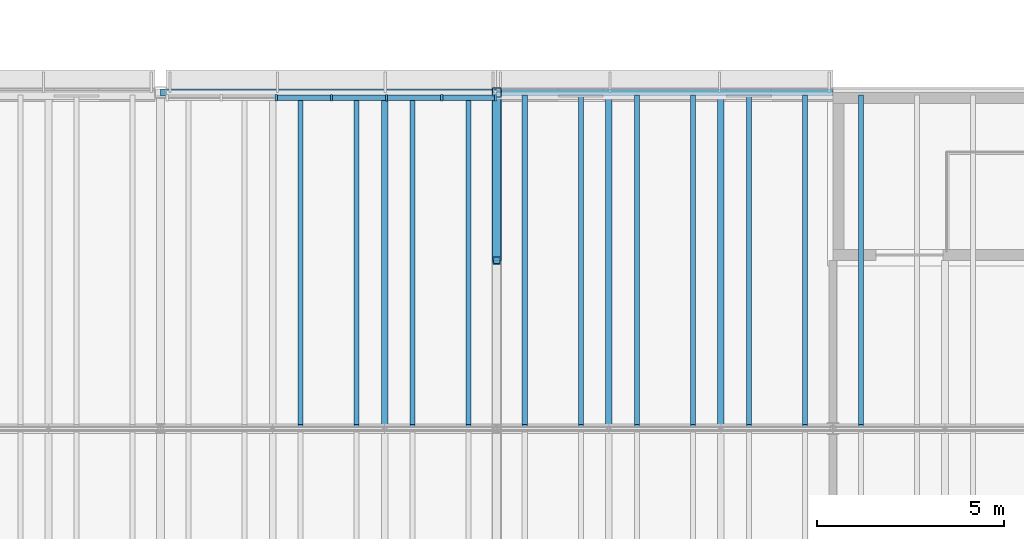
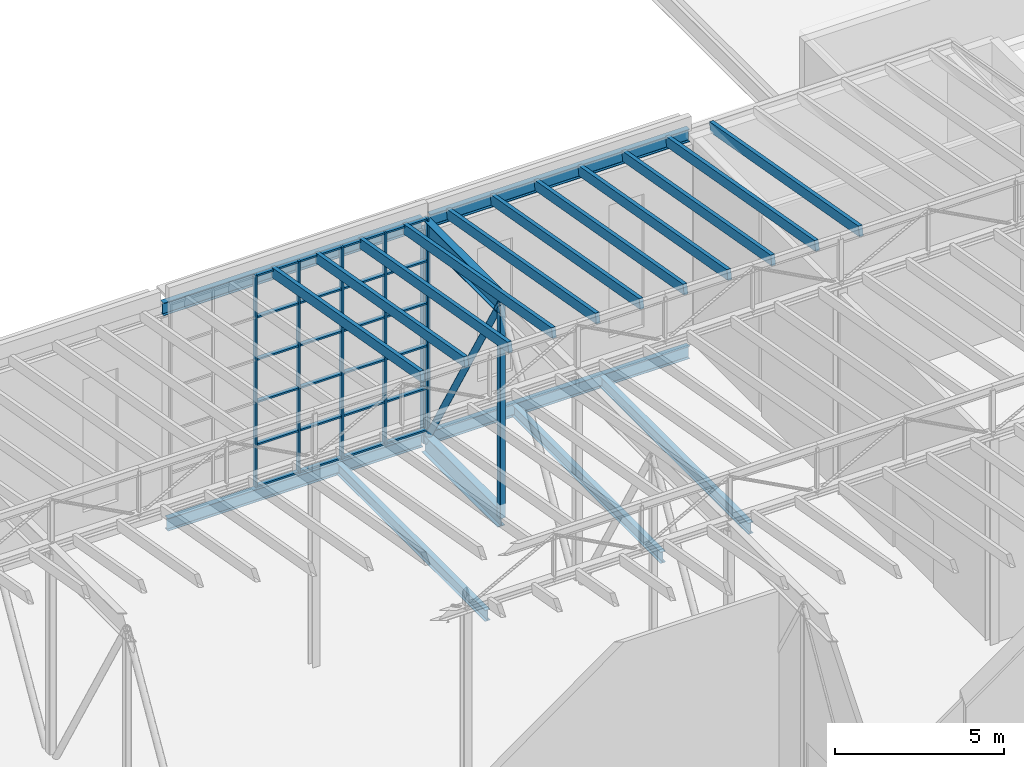
# One storey, part 45 of 90: 45 members, 7 beams, 1 element without a shape of its own.
"""IFC4 building model written with IfcOpenShell, lengths in metres."""

from ifc_helpers import new_model, si_unit, direction, frame, origin, origin_2d, place, context, subcontext, project, spatial, rectangle, hollow_rectangle, hollow_circle, i_section, extrude, material, layer, layer_set, material_profile, profile_set, type_object, element, aggregate, save


model = new_model("IFC4")

# Units and contexts
model_context = context("Model", 3, precision=1e-05, world=origin(), true_north=direction((0.0, 1.0)))
body_context = subcontext(model_context, "Body", "Model", "MODEL_VIEW")
ifc_project = project(units=[si_unit("LENGTHUNIT", "METRE"), si_unit("AREAUNIT", "SQUARE_METRE"), si_unit("VOLUMEUNIT", "CUBIC_METRE"), si_unit("PLANEANGLEUNIT", "RADIAN"), si_unit("MASSUNIT", "GRAM", prefix="KILO")], contexts=[model_context])

# Site, building, storey
site_placement = place(None, origin())
site = spatial("IfcSite", under=ifc_project, at=site_placement, CompositionType="ELEMENT")
building_placement = place(site_placement, origin())
building = spatial("IfcBuilding", under=site, at=building_placement, Name="Halyard Row Museum", CompositionType="ELEMENT")
storey_placement = place(building_placement, frame((0.0, 0.0, 13.39990234375)))
storey = spatial("IfcBuildingStorey", under=building, at=storey_placement, Name="L03", CompositionType="ELEMENT", Elevation=13.39990234375)

# Curtain wall, members
ifc_material_1 = material(Name="Double glazed unit, low-emissivity", Category="glass")
ifc_layer = layer(ifc_material_1, 0.179931640625)
ifc_layer_set = layer_set([ifc_layer], Name="Double glazed unit, low-emissivity")
curtain_wall_type = type_object("IfcCurtainWallType", Name="Curtain wall stick 180 deep", PredefinedType="NOTDEFINED", material=ifc_layer_set)
curtain_wall_placement = place(storey_placement, origin())
curtain_wall = element("IfcCurtainWall", 1, at=curtain_wall_placement, inside=storey, type_object=curtain_wall_type, Name="Curtain wall CW053", PredefinedType="NOTDEFINED")
ifc_material_2 = material(Name="Powder-coated aluminium section", Category="aluminium")
ifc_material_profile_1 = material_profile(ifc_material_2, rectangle(XDim=0.179931640625, YDim=0.06005859375, at=origin_2d()), Name="180x60 mullion")
ifc_profile_set_1 = profile_set([ifc_material_profile_1], Name="Powder-coated aluminium section")
member_type_1 = type_object("IfcMemberType", Name="Curtain wall mullion CM2 60 x 180", PredefinedType="MULLION", material=ifc_profile_set_1)
member_1_placement = place(storey_placement, frame((53.969970703125, 44.860107421875, 0.0), z_axis=(0.0, 0.0, 1.0), x_axis=(0.0, -1.0, 0.0)))
member_1 = element("IfcMember", 2, at=member_1_placement, type_object=member_type_1, Name="CW053 mullion 1", PredefinedType="MULLION", context=body_context, shape_type="SweptSolid", body=[
    extrude(rectangle(XDim=0.179931640625, YDim=0.06005859375, at=origin_2d()), origin(), (0.0, 0.0, 1.0), 7.67822265625),
])
member_2_placement = place(storey_placement, frame((52.52490234375, 44.860107421875, 0.0), z_axis=(0.0, 0.0, 1.0), x_axis=(0.0, -1.0, 0.0)))
member_2 = element("IfcMember", 3, at=member_2_placement, type_object=member_type_1, Name="CW053 mullion 2", PredefinedType="MULLION", context=body_context, shape_type="SweptSolid", body=[
    extrude(rectangle(XDim=0.179931640625, YDim=0.06005859375, at=origin_2d()), origin(), (0.0, 0.0, 1.0), 7.67822265625),
])
member_3_placement = place(storey_placement, frame((51.050048828125, 44.860107421875, 0.0), z_axis=(0.0, 0.0, 1.0), x_axis=(0.0, -1.0, 0.0)))
member_3 = element("IfcMember", 4, at=member_3_placement, type_object=member_type_1, Name="CW053 mullion 3", PredefinedType="MULLION", context=body_context, shape_type="SweptSolid", body=[
    extrude(rectangle(XDim=0.179931640625, YDim=0.06005859375, at=origin_2d()), origin(), (0.0, 0.0, 1.0), 7.67822265625),
])
member_4_placement = place(storey_placement, frame((49.574951171875, 44.860107421875, 0.0), z_axis=(0.0, 0.0, 1.0), x_axis=(0.0, -1.0, 0.0)))
member_4 = element("IfcMember", 5, at=member_4_placement, type_object=member_type_1, Name="CW053 mullion 4", PredefinedType="MULLION", context=body_context, shape_type="SweptSolid", body=[
    extrude(rectangle(XDim=0.179931640625, YDim=0.06005859375, at=origin_2d()), origin(), (0.0, 0.0, 1.0), 7.67822265625),
])
member_5_placement = place(storey_placement, frame((48.10009765625, 44.860107421875, 0.0), z_axis=(0.0, 0.0, 1.0), x_axis=(0.0, -1.0, 0.0)))
member_5 = element("IfcMember", 6, at=member_5_placement, type_object=member_type_1, Name="CW053 mullion 5", PredefinedType="MULLION", context=body_context, shape_type="SweptSolid", body=[
    extrude(rectangle(XDim=0.179931640625, YDim=0.06005859375, at=origin_2d()), origin(), (0.0, 0.0, 1.0), 7.67822265625),
])
ifc_material_3 = material(Name="Powder-coated aluminium section", Category="aluminium")
ifc_material_profile_2 = material_profile(ifc_material_3, rectangle(XDim=0.139892578125, YDim=0.06005859375, at=origin_2d()), Name="140x60 transom")
ifc_profile_set_2 = profile_set([ifc_material_profile_2], Name="Powder-coated aluminium section")
member_type_2 = type_object("IfcMemberType", Name="Curtain wall transom CT2 60 x 140", PredefinedType="USERDEFINED", material=ifc_profile_set_2)
member_6_placement = place(storey_placement, frame((53.93994140625, 44.860107421875, 0.030029296875), z_axis=(-1.0, 0.0, 0.0), x_axis=(0.0, -1.0, 0.0)))
member_6 = element("IfcMember", 7, at=member_6_placement, type_object=member_type_2, Name="CW053 transom 1.1", ObjectType="TRANSOM", PredefinedType="USERDEFINED", context=body_context, shape_type="SweptSolid", body=[
    extrude(rectangle(XDim=0.139892578125, YDim=0.06005859375, at=origin_2d()), origin(), (0.0, 0.0, 1.0), 1.385009765625),
])
member_7_placement = place(storey_placement, frame((53.93994140625, 44.860107421875, 1.53564453125), z_axis=(-1.0, 0.0, 0.0), x_axis=(0.0, -1.0, 0.0)))
member_7 = element("IfcMember", 8, at=member_7_placement, type_object=member_type_2, Name="CW053 transom 1.2", ObjectType="TRANSOM", PredefinedType="USERDEFINED", context=body_context, shape_type="SweptSolid", body=[
    extrude(rectangle(XDim=0.139892578125, YDim=0.06005859375, at=origin_2d()), origin(), (0.0, 0.0, 1.0), 1.385009765625),
])
member_8_placement = place(storey_placement, frame((53.93994140625, 44.860107421875, 3.0712890625), z_axis=(-1.0, 0.0, 0.0), x_axis=(0.0, -1.0, 0.0)))
member_8 = element("IfcMember", 9, at=member_8_placement, type_object=member_type_2, Name="CW053 transom 1.3", ObjectType="TRANSOM", PredefinedType="USERDEFINED", context=body_context, shape_type="SweptSolid", body=[
    extrude(rectangle(XDim=0.139892578125, YDim=0.06005859375, at=origin_2d()), origin(), (0.0, 0.0, 1.0), 1.385009765625),
])
member_9_placement = place(storey_placement, frame((53.93994140625, 44.860107421875, 4.60693359375), z_axis=(-1.0, 0.0, 0.0), x_axis=(0.0, -1.0, 0.0)))
member_9 = element("IfcMember", 10, at=member_9_placement, type_object=member_type_2, Name="CW053 transom 1.4", ObjectType="TRANSOM", PredefinedType="USERDEFINED", context=body_context, shape_type="SweptSolid", body=[
    extrude(rectangle(XDim=0.139892578125, YDim=0.06005859375, at=origin_2d()), origin(), (0.0, 0.0, 1.0), 1.385009765625),
])
member_10_placement = place(storey_placement, frame((53.93994140625, 44.860107421875, 6.142578125), z_axis=(-1.0, 0.0, 0.0), x_axis=(0.0, -1.0, 0.0)))
member_10 = element("IfcMember", 11, at=member_10_placement, type_object=member_type_2, Name="CW053 transom 1.5", ObjectType="TRANSOM", PredefinedType="USERDEFINED", context=body_context, shape_type="SweptSolid", body=[
    extrude(rectangle(XDim=0.139892578125, YDim=0.06005859375, at=origin_2d()), origin(), (0.0, 0.0, 1.0), 1.385009765625),
])
member_11_placement = place(storey_placement, frame((53.93994140625, 44.860107421875, 7.648193359375), z_axis=(-1.0, 0.0, 0.0), x_axis=(0.0, -1.0, 0.0)))
member_11 = element("IfcMember", 12, at=member_11_placement, type_object=member_type_2, Name="CW053 transom 1.6", ObjectType="TRANSOM", PredefinedType="USERDEFINED", context=body_context, shape_type="SweptSolid", body=[
    extrude(rectangle(XDim=0.139892578125, YDim=0.06005859375, at=origin_2d()), origin(), (0.0, 0.0, 1.0), 1.385009765625),
])
member_12_placement = place(storey_placement, frame((52.4951171875, 44.860107421875, 0.030029296875), z_axis=(-1.0, 0.0, 0.0), x_axis=(0.0, -1.0, 0.0)))
member_12 = element("IfcMember", 13, at=member_12_placement, type_object=member_type_2, Name="CW053 transom 2.1", ObjectType="TRANSOM", PredefinedType="USERDEFINED", context=body_context, shape_type="SweptSolid", body=[
    extrude(rectangle(XDim=0.139892578125, YDim=0.06005859375, at=origin_2d()), origin(), (0.0, 0.0, 1.0), 1.4150390625),
])
member_13_placement = place(storey_placement, frame((52.4951171875, 44.860107421875, 1.53564453125), z_axis=(-1.0, 0.0, 0.0), x_axis=(0.0, -1.0, 0.0)))
member_13 = element("IfcMember", 14, at=member_13_placement, type_object=member_type_2, Name="CW053 transom 2.2", ObjectType="TRANSOM", PredefinedType="USERDEFINED", context=body_context, shape_type="SweptSolid", body=[
    extrude(rectangle(XDim=0.139892578125, YDim=0.06005859375, at=origin_2d()), origin(), (0.0, 0.0, 1.0), 1.4150390625),
])
member_14_placement = place(storey_placement, frame((52.4951171875, 44.860107421875, 3.0712890625), z_axis=(-1.0, 0.0, 0.0), x_axis=(0.0, -1.0, 0.0)))
member_14 = element("IfcMember", 15, at=member_14_placement, type_object=member_type_2, Name="CW053 transom 2.3", ObjectType="TRANSOM", PredefinedType="USERDEFINED", context=body_context, shape_type="SweptSolid", body=[
    extrude(rectangle(XDim=0.139892578125, YDim=0.06005859375, at=origin_2d()), origin(), (0.0, 0.0, 1.0), 1.4150390625),
])
member_15_placement = place(storey_placement, frame((52.4951171875, 44.860107421875, 4.60693359375), z_axis=(-1.0, 0.0, 0.0), x_axis=(0.0, -1.0, 0.0)))
member_15 = element("IfcMember", 16, at=member_15_placement, type_object=member_type_2, Name="CW053 transom 2.4", ObjectType="TRANSOM", PredefinedType="USERDEFINED", context=body_context, shape_type="SweptSolid", body=[
    extrude(rectangle(XDim=0.139892578125, YDim=0.06005859375, at=origin_2d()), origin(), (0.0, 0.0, 1.0), 1.4150390625),
])
member_16_placement = place(storey_placement, frame((52.4951171875, 44.860107421875, 6.142578125), z_axis=(-1.0, 0.0, 0.0), x_axis=(0.0, -1.0, 0.0)))
member_16 = element("IfcMember", 17, at=member_16_placement, type_object=member_type_2, Name="CW053 transom 2.5", ObjectType="TRANSOM", PredefinedType="USERDEFINED", context=body_context, shape_type="SweptSolid", body=[
    extrude(rectangle(XDim=0.139892578125, YDim=0.06005859375, at=origin_2d()), origin(), (0.0, 0.0, 1.0), 1.4150390625),
])
member_17_placement = place(storey_placement, frame((52.4951171875, 44.860107421875, 7.648193359375), z_axis=(-1.0, 0.0, 0.0), x_axis=(0.0, -1.0, 0.0)))
member_17 = element("IfcMember", 18, at=member_17_placement, type_object=member_type_2, Name="CW053 transom 2.6", ObjectType="TRANSOM", PredefinedType="USERDEFINED", context=body_context, shape_type="SweptSolid", body=[
    extrude(rectangle(XDim=0.139892578125, YDim=0.06005859375, at=origin_2d()), origin(), (0.0, 0.0, 1.0), 1.4150390625),
])
member_18_placement = place(storey_placement, frame((51.02001953125, 44.860107421875, 0.030029296875), z_axis=(-1.0, 0.0, 0.0), x_axis=(0.0, -1.0, 0.0)))
member_18 = element("IfcMember", 19, at=member_18_placement, type_object=member_type_2, Name="CW053 transom 3.1", ObjectType="TRANSOM", PredefinedType="USERDEFINED", context=body_context, shape_type="SweptSolid", body=[
    extrude(rectangle(XDim=0.139892578125, YDim=0.06005859375, at=origin_2d()), origin(), (0.0, 0.0, 1.0), 1.4150390625),
])
member_19_placement = place(storey_placement, frame((51.02001953125, 44.860107421875, 1.53564453125), z_axis=(-1.0, 0.0, 0.0), x_axis=(0.0, -1.0, 0.0)))
member_19 = element("IfcMember", 20, at=member_19_placement, type_object=member_type_2, Name="CW053 transom 3.2", ObjectType="TRANSOM", PredefinedType="USERDEFINED", context=body_context, shape_type="SweptSolid", body=[
    extrude(rectangle(XDim=0.139892578125, YDim=0.06005859375, at=origin_2d()), origin(), (0.0, 0.0, 1.0), 1.4150390625),
])
member_20_placement = place(storey_placement, frame((51.02001953125, 44.860107421875, 3.0712890625), z_axis=(-1.0, 0.0, 0.0), x_axis=(0.0, -1.0, 0.0)))
member_20 = element("IfcMember", 21, at=member_20_placement, type_object=member_type_2, Name="CW053 transom 3.3", ObjectType="TRANSOM", PredefinedType="USERDEFINED", context=body_context, shape_type="SweptSolid", body=[
    extrude(rectangle(XDim=0.139892578125, YDim=0.06005859375, at=origin_2d()), origin(), (0.0, 0.0, 1.0), 1.4150390625),
])
member_21_placement = place(storey_placement, frame((51.02001953125, 44.860107421875, 4.60693359375), z_axis=(-1.0, 0.0, 0.0), x_axis=(0.0, -1.0, 0.0)))
member_21 = element("IfcMember", 22, at=member_21_placement, type_object=member_type_2, Name="CW053 transom 3.4", ObjectType="TRANSOM", PredefinedType="USERDEFINED", context=body_context, shape_type="SweptSolid", body=[
    extrude(rectangle(XDim=0.139892578125, YDim=0.06005859375, at=origin_2d()), origin(), (0.0, 0.0, 1.0), 1.4150390625),
])
member_22_placement = place(storey_placement, frame((51.02001953125, 44.860107421875, 6.142578125), z_axis=(-1.0, 0.0, 0.0), x_axis=(0.0, -1.0, 0.0)))
member_22 = element("IfcMember", 23, at=member_22_placement, type_object=member_type_2, Name="CW053 transom 3.5", ObjectType="TRANSOM", PredefinedType="USERDEFINED", context=body_context, shape_type="SweptSolid", body=[
    extrude(rectangle(XDim=0.139892578125, YDim=0.06005859375, at=origin_2d()), origin(), (0.0, 0.0, 1.0), 1.4150390625),
])
member_23_placement = place(storey_placement, frame((51.02001953125, 44.860107421875, 7.648193359375), z_axis=(-1.0, 0.0, 0.0), x_axis=(0.0, -1.0, 0.0)))
member_23 = element("IfcMember", 24, at=member_23_placement, type_object=member_type_2, Name="CW053 transom 3.6", ObjectType="TRANSOM", PredefinedType="USERDEFINED", context=body_context, shape_type="SweptSolid", body=[
    extrude(rectangle(XDim=0.139892578125, YDim=0.06005859375, at=origin_2d()), origin(), (0.0, 0.0, 1.0), 1.4150390625),
])
member_24_placement = place(storey_placement, frame((49.544921875, 44.860107421875, 0.030029296875), z_axis=(-1.0, 0.0, 0.0), x_axis=(0.0, -1.0, 0.0)))
member_24 = element("IfcMember", 25, at=member_24_placement, type_object=member_type_2, Name="CW053 transom 4.1", ObjectType="TRANSOM", PredefinedType="USERDEFINED", context=body_context, shape_type="SweptSolid", body=[
    extrude(rectangle(XDim=0.139892578125, YDim=0.06005859375, at=origin_2d()), origin(), (0.0, 0.0, 1.0), 1.4150390625),
])
member_25_placement = place(storey_placement, frame((49.544921875, 44.860107421875, 1.53564453125), z_axis=(-1.0, 0.0, 0.0), x_axis=(0.0, -1.0, 0.0)))
member_25 = element("IfcMember", 26, at=member_25_placement, type_object=member_type_2, Name="CW053 transom 4.2", ObjectType="TRANSOM", PredefinedType="USERDEFINED", context=body_context, shape_type="SweptSolid", body=[
    extrude(rectangle(XDim=0.139892578125, YDim=0.06005859375, at=origin_2d()), origin(), (0.0, 0.0, 1.0), 1.4150390625),
])
member_26_placement = place(storey_placement, frame((49.544921875, 44.860107421875, 3.0712890625), z_axis=(-1.0, 0.0, 0.0), x_axis=(0.0, -1.0, 0.0)))
member_26 = element("IfcMember", 27, at=member_26_placement, type_object=member_type_2, Name="CW053 transom 4.3", ObjectType="TRANSOM", PredefinedType="USERDEFINED", context=body_context, shape_type="SweptSolid", body=[
    extrude(rectangle(XDim=0.139892578125, YDim=0.06005859375, at=origin_2d()), origin(), (0.0, 0.0, 1.0), 1.4150390625),
])
member_27_placement = place(storey_placement, frame((49.544921875, 44.860107421875, 4.60693359375), z_axis=(-1.0, 0.0, 0.0), x_axis=(0.0, -1.0, 0.0)))
member_27 = element("IfcMember", 28, at=member_27_placement, type_object=member_type_2, Name="CW053 transom 4.4", ObjectType="TRANSOM", PredefinedType="USERDEFINED", context=body_context, shape_type="SweptSolid", body=[
    extrude(rectangle(XDim=0.139892578125, YDim=0.06005859375, at=origin_2d()), origin(), (0.0, 0.0, 1.0), 1.4150390625),
])
member_28_placement = place(storey_placement, frame((49.544921875, 44.860107421875, 6.142578125), z_axis=(-1.0, 0.0, 0.0), x_axis=(0.0, -1.0, 0.0)))
member_28 = element("IfcMember", 29, at=member_28_placement, type_object=member_type_2, Name="CW053 transom 4.5", ObjectType="TRANSOM", PredefinedType="USERDEFINED", context=body_context, shape_type="SweptSolid", body=[
    extrude(rectangle(XDim=0.139892578125, YDim=0.06005859375, at=origin_2d()), origin(), (0.0, 0.0, 1.0), 1.4150390625),
])
member_29_placement = place(storey_placement, frame((49.544921875, 44.860107421875, 7.648193359375), z_axis=(-1.0, 0.0, 0.0), x_axis=(0.0, -1.0, 0.0)))
member_29 = element("IfcMember", 30, at=member_29_placement, type_object=member_type_2, Name="CW053 transom 4.6", ObjectType="TRANSOM", PredefinedType="USERDEFINED", context=body_context, shape_type="SweptSolid", body=[
    extrude(rectangle(XDim=0.139892578125, YDim=0.06005859375, at=origin_2d()), origin(), (0.0, 0.0, 1.0), 1.4150390625),
])
aggregate(curtain_wall, [member_1, member_2, member_3, member_4, member_5, member_6, member_7, member_8, member_9, member_10, member_11, member_12, member_13, member_14, member_15, member_16, member_17, member_18, member_19, member_20, member_21, member_22, member_23, member_24, member_25, member_26, member_27, member_28, member_29])

# Beams
ifc_material_4 = material(Name="Steel Grade 300", Category="steel")
ifc_material_profile_3 = material_profile(ifc_material_4, i_section(OverallWidth=0.19091796875, OverallDepth=0.46044921875, WebThickness=0.010009765625, FlangeThickness=0.01611328125, FilletRadius=0.011474609375, at=origin_2d()), Name="460UB82.1")
ifc_profile_set_3 = profile_set([ifc_material_profile_3], Name="Steel Grade 300")
beam_type_1 = type_object("IfcBeamType", Name="Eave girder 460UB82.1", PredefinedType="BEAM", material=ifc_profile_set_3)
for number, where, z_axis, x_axis, name in (
    (31, (45.0, 45.0, 7.449951171875), (1.0, 0.0, 0.0), (0.0, 1.0, 0.0), "V1 eave girder 4.3"),
    (32, (54.125, 45.0, 7.449951171875), (1.0, 0.0, 0.0), (0.0, 1.0, 0.0), "V1 eave girder 4.4"),
):
    element("IfcBeam", number, at=place(storey_placement, frame(where, z_axis=z_axis, x_axis=x_axis)), inside=storey, type_object=beam_type_1, Name=name, PredefinedType="BEAM", context=body_context, shape_type="SweptSolid", body=[
        extrude(i_section(OverallWidth=0.19091796875, OverallDepth=0.46044921875, WebThickness=0.010009765625, FlangeThickness=0.01611328125, FilletRadius=0.011474609375, at=origin_2d()), origin(), (0.0, 0.0, 1.0), 8.875),
    ])
ifc_material_5 = material(Name="Steel Grade 300", Category="steel")
ifc_material_profile_4 = material_profile(ifc_material_5, i_section(OverallWidth=0.18994140625, OverallDepth=0.45751953125, WebThickness=0.009033203125, FlangeThickness=0.014404296875, FilletRadius=0.011474609375, at=origin_2d()), Name="460UB74.6")
ifc_profile_set_4 = profile_set([ifc_material_profile_4], Name="Steel Grade 300")
beam_type_2 = type_object("IfcBeamType", Name="Edge beam 460UB74.6", PredefinedType="BEAM", material=ifc_profile_set_4)
beam_1_placement = place(storey_placement, frame((45.14990234375, 45.0, -0.3935546875), z_axis=(1.0, 0.0, 0.0), x_axis=(0.0, 1.0, 0.0)))
element("IfcBeam", 33, at=beam_1_placement, inside=storey, type_object=beam_type_2, Name="Beam L03-037", PredefinedType="BEAM", context=body_context, shape_type="SweptSolid", body=[
    extrude(i_section(OverallWidth=0.18994140625, OverallDepth=0.45751953125, WebThickness=0.009033203125, FlangeThickness=0.014404296875, FilletRadius=0.011474609375, at=origin_2d()), origin(), (0.0, 0.0, 1.0), 8.72509765625),
])
beam_2_placement = place(storey_placement, frame((54.125, 45.0, -0.3935546875), z_axis=(1.0, 0.0, 0.0), x_axis=(0.0, 1.0, 0.0)))
element("IfcBeam", 34, at=beam_2_placement, inside=storey, type_object=beam_type_2, Name="Beam L03-038", PredefinedType="BEAM", context=body_context, shape_type="SweptSolid", body=[
    extrude(i_section(OverallWidth=0.18994140625, OverallDepth=0.45751953125, WebThickness=0.009033203125, FlangeThickness=0.014404296875, FilletRadius=0.011474609375, at=origin_2d()), origin(), (0.0, 0.0, 1.0), 8.875),
])

# Members
ifc_material_6 = material(Name="Glulam GL12 radiata pine", Category="wood")
ifc_material_profile_5 = material_profile(ifc_material_6, rectangle(XDim=0.135009765625, YDim=0.360107421875, at=origin_2d()), Name="GL12 135x360")
ifc_profile_set_5 = profile_set([ifc_material_profile_5], Name="Glulam GL12 radiata pine")
member_type_3 = type_object("IfcMemberType", Name="Rafter GL12 135x360", PredefinedType="RAFTER", material=ifc_profile_set_5)
for number, where, z_axis, x_axis, name in (
    (35, (48.75, 36.074462890625, 9.083984375), (0.0, 0.984561882288, -0.175036853105), (-1.0, 0.0, 0.0), "Rafter V1-T3a.15"),
    (36, (50.25, 36.074462890625, 9.083984375), (0.0, 0.984561882288, -0.175036853105), (-1.0, 0.0, 0.0), "Rafter V1-T3a.16"),
    (37, (51.75, 36.074462890625, 9.083984375), (0.0, 0.984561882288, -0.175036853105), (-1.0, 0.0, 0.0), "Rafter V1-T3a.17"),
    (38, (53.25, 36.074462890625, 9.083984375), (0.0, 0.984561882288, -0.175036853105), (-1.0, 0.0, 0.0), "Rafter V1-T3a.18"),
    (39, (54.75, 36.074462890625, 9.083984375), (0.0, 0.984561882288, -0.175036853105), (-1.0, 0.0, 0.0), "Rafter V1-T3a.19"),
    (40, (56.25, 36.074462890625, 9.083984375), (0.0, 0.984561882288, -0.175036853105), (-1.0, 0.0, 0.0), "Rafter V1-T3a.20"),
    (41, (57.75, 36.074462890625, 9.083984375), (0.0, 0.984561882288, -0.175036853105), (-1.0, 0.0, 0.0), "Rafter V1-T3a.21"),
    (42, (59.25, 36.074462890625, 9.083984375), (0.0, 0.984561882288, -0.175036853105), (-1.0, 0.0, 0.0), "Rafter V1-T3a.22"),
    (43, (60.75, 36.074462890625, 9.083984375), (0.0, 0.984561882288, -0.175036853105), (-1.0, 0.0, 0.0), "Rafter V1-T3a.23"),
    (44, (62.25, 36.074462890625, 9.083984375), (0.0, 0.984561882288, -0.175036853105), (-1.0, 0.0, 0.0), "Rafter V1-T3a.24"),
    (45, (63.75, 36.074462890625, 9.083984375), (0.0, 0.984561882288, -0.175036853105), (-1.0, 0.0, 0.0), "Rafter V1-T3a.25"),
):
    element("IfcMember", number, at=place(storey_placement, frame(where, z_axis=z_axis, x_axis=x_axis)), inside=storey, type_object=member_type_3, Name=name, PredefinedType="RAFTER", context=body_context, shape_type="SweptSolid", body=[
        extrude(rectangle(XDim=0.135009765625, YDim=0.360107421875, at=origin_2d()), origin(), (0.0, 0.0, 1.0), 8.968505859375),
    ])

# Beams
ifc_material_7 = material(Name="Steel Grade 300", Category="steel")
ifc_material_profile_6 = material_profile(ifc_material_7, i_section(OverallWidth=0.177978515625, OverallDepth=0.406494140625, WebThickness=0.0078125, FlangeThickness=0.0126953125, FilletRadius=0.011474609375, at=origin_2d()), Name="410UB59.7")
ifc_profile_set_6 = profile_set([ifc_material_profile_6], Name="Steel Grade 300")
beam_type_3 = type_object("IfcBeamType", Name="Secondary beam 410UB59.7", PredefinedType="BEAM", material=ifc_profile_set_6)
for number, where, z_axis, x_axis, name in (
    (46, (51.0, 36.1044921875, -0.3681640625), (0.0, 1.0, 0.0), (-1.0, 0.0, 0.0), "Beam L03-128"),
    (47, (57.0, 36.1044921875, -0.3681640625), (0.0, 1.0, 0.0), (-1.0, 0.0, 0.0), "Beam L03-129"),
    (48, (60.0, 36.1044921875, -0.3681640625), (0.0, 1.0, 0.0), (-1.0, 0.0, 0.0), "Beam L03-130"),
):
    element("IfcBeam", number, at=place(storey_placement, frame(where, z_axis=z_axis, x_axis=x_axis)), inside=storey, type_object=beam_type_3, Name=name, PredefinedType="BEAM", context=body_context, shape_type="SweptSolid", body=[
        extrude(i_section(OverallWidth=0.177978515625, OverallDepth=0.406494140625, WebThickness=0.0078125, FlangeThickness=0.0126953125, FilletRadius=0.011474609375, at=origin_2d()), origin(), (0.0, 0.0, 1.0), 8.800537109375),
    ])

# Members
ifc_material_8 = material(Name="Steel Grade 300", Category="steel")
ifc_material_profile_7 = material_profile(ifc_material_8, i_section(OverallWidth=0.25, OverallDepth=0.699951171875, WebThickness=0.010009765625, FlangeThickness=0.02001953125, at=origin_2d()), Name="700WB130")
ifc_profile_set_7 = profile_set([ifc_material_profile_7], Name="Steel Grade 300")
member_type_4 = type_object("IfcMemberType", Name="Transfer truss chord 700WB130 bottom", PredefinedType="CHORD", material=ifc_profile_set_7)
member_30_placement = place(storey_placement, frame((54.0, 40.5, -0.514892578125), z_axis=(0.0, 1.0, 0.0), x_axis=(-1.0, 0.0, 0.0)))
element("IfcMember", 49, at=member_30_placement, inside=storey, type_object=member_type_4, Name="TT2 bottom chord 10", PredefinedType="CHORD", context=body_context, shape_type="SweptSolid", body=[
    extrude(i_section(OverallWidth=0.25, OverallDepth=0.699951171875, WebThickness=0.010009765625, FlangeThickness=0.02001953125, at=origin_2d()), origin(), (0.0, 0.0, 1.0), 4.5),
])
ifc_material_9 = material(Name="Steel Grade 300", Category="steel")
ifc_material_profile_8 = material_profile(ifc_material_9, i_section(OverallWidth=0.25, OverallDepth=0.699951171875, WebThickness=0.010009765625, FlangeThickness=0.02001953125, at=origin_2d()), Name="700WB130")
ifc_profile_set_8 = profile_set([ifc_material_profile_8], Name="Steel Grade 300")
member_type_5 = type_object("IfcMemberType", Name="Transfer truss chord 700WB130 top", PredefinedType="CHORD", material=ifc_profile_set_8)
member_31_placement = place(storey_placement, frame((54.0, 40.5, 7.22998046875), z_axis=(0.0, 1.0, 0.0), x_axis=(-1.0, 0.0, 0.0)))
element("IfcMember", 50, at=member_31_placement, inside=storey, type_object=member_type_5, Name="TT2 top chord 10", PredefinedType="CHORD", context=body_context, shape_type="SweptSolid", body=[
    extrude(i_section(OverallWidth=0.25, OverallDepth=0.699951171875, WebThickness=0.010009765625, FlangeThickness=0.02001953125, at=origin_2d()), origin(), (0.0, 0.0, 1.0), 4.5),
])
ifc_material_10 = material(Name="Steel Grade C350L0", Category="steel")
ifc_material_profile_9 = material_profile(ifc_material_10, hollow_circle(Radius=0.109619140625, WallThickness=0.00830078125, at=origin_2d()), Name="219.1x8.2CHS")
ifc_profile_set_9 = profile_set([ifc_material_profile_9], Name="Steel Grade C350L0")
member_type_6 = type_object("IfcMemberType", Name="Transfer truss diagonal 219.1x8.2CHS", PredefinedType="BRACE", material=ifc_profile_set_9)
member_32_placement = place(storey_placement, frame((54.0, 40.5, 7.22998046875), z_axis=(0.0, 0.502384046634, -0.864644591545), x_axis=(-1.0, 0.0, 0.0)))
element("IfcMember", 51, at=member_32_placement, inside=storey, type_object=member_type_6, Name="TT2 diagonal 10", PredefinedType="BRACE", context=body_context, shape_type="SweptSolid", body=[
    extrude(hollow_circle(Radius=0.109619140625, WallThickness=0.00830078125, at=origin_2d()), origin(), (0.0, 0.0, 1.0), 8.957275390625),
])
ifc_material_11 = material(Name="Steel Grade C350L0", Category="steel")
ifc_material_profile_10 = material_profile(ifc_material_11, hollow_rectangle(XDim=0.199951171875, YDim=0.199951171875, WallThickness=0.009033203125, InnerFilletRadius=0.013427734375, OuterFilletRadius=0.0224609375, at=origin_2d()), Name="200x200x9.0SHS")
ifc_profile_set_10 = profile_set([ifc_material_profile_10], Name="Steel Grade C350L0")
member_type_7 = type_object("IfcMemberType", Name="Transfer truss post 200x200x9.0SHS", PredefinedType="POST", material=ifc_profile_set_10)
member_33_placement = place(storey_placement, frame((54.0, 40.5, -0.514892578125), z_axis=(0.0, 0.0, 1.0), x_axis=(1.0, 0.0, 0.0)))
element("IfcMember", 52, at=member_33_placement, inside=storey, type_object=member_type_7, Name="TT2 post 10", PredefinedType="POST", context=body_context, shape_type="SweptSolid", body=[
    extrude(hollow_rectangle(XDim=0.199951171875, YDim=0.199951171875, WallThickness=0.009033203125, InnerFilletRadius=0.013427734375, OuterFilletRadius=0.0224609375, at=origin_2d()), origin(), (0.0, 0.0, 1.0), 7.744873046875),
])
ifc_material_12 = material(Name="Steel Grade C350L0", Category="steel")
ifc_material_profile_11 = material_profile(ifc_material_12, hollow_rectangle(XDim=0.25, YDim=0.25, WallThickness=0.012451171875, InnerFilletRadius=0.018798828125, OuterFilletRadius=0.03125, at=origin_2d()), Name="250x250x12.5SHS")
ifc_profile_set_11 = profile_set([ifc_material_profile_11], Name="Steel Grade C350L0")
member_type_8 = type_object("IfcMemberType", Name="Transfer truss post 250x250x12.5SHS", PredefinedType="POST", material=ifc_profile_set_11)
member_34_placement = place(storey_placement, frame((54.0, 45.0, -0.514892578125), z_axis=(0.0, 0.0, 1.0), x_axis=(1.0, 0.0, 0.0)))
element("IfcMember", 53, at=member_34_placement, inside=storey, type_object=member_type_8, Name="TT2 post 11", PredefinedType="POST", context=body_context, shape_type="SweptSolid", body=[
    extrude(hollow_rectangle(XDim=0.25, YDim=0.25, WallThickness=0.012451171875, InnerFilletRadius=0.018798828125, OuterFilletRadius=0.03125, at=origin_2d()), origin(), (0.0, 0.0, 1.0), 7.744873046875),
])

save(model, "model.ifc")
